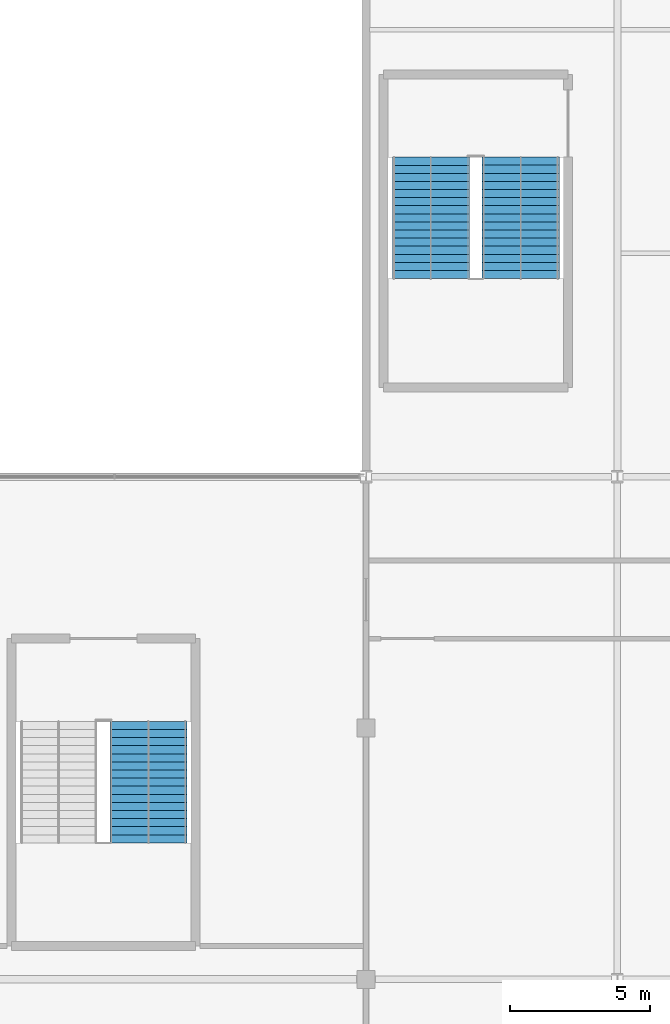
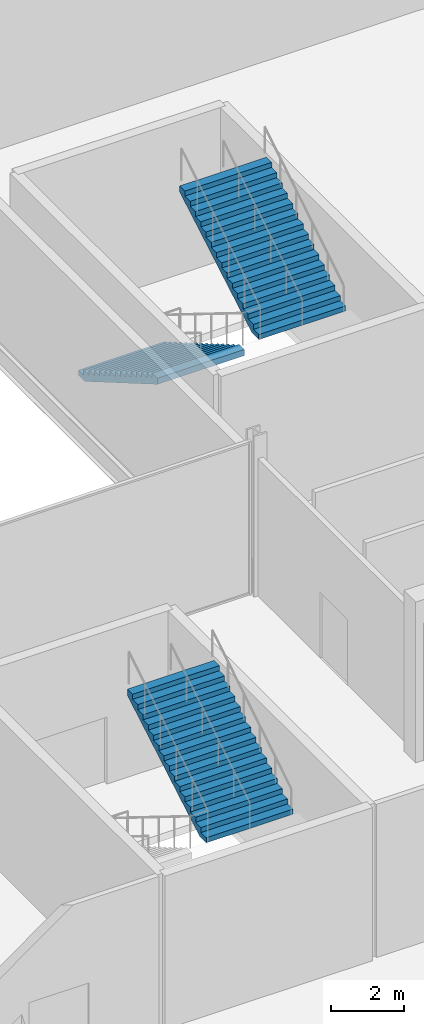
# One storey, part 89 of 113: 3 stair flights, 2 elements without a shape of their own.
"""IFC4 building model written with IfcOpenShell, lengths in metres."""

from ifc_helpers import new_model, si_unit, direction, frame, origin, place, context, subcontext, project, spatial, polygons, material, type_object, element, aggregate, save


model = new_model("IFC4")

# Units and contexts
model_context = context("Model", 3, precision=1e-05, world=origin(), true_north=direction((0.0, 1.0)))
body_context = subcontext(model_context, "Body", "Model", "MODEL_VIEW")
ifc_project = project(units=[si_unit("LENGTHUNIT", "METRE"), si_unit("AREAUNIT", "SQUARE_METRE"), si_unit("VOLUMEUNIT", "CUBIC_METRE"), si_unit("PLANEANGLEUNIT", "RADIAN"), si_unit("MASSUNIT", "GRAM", prefix="KILO")], contexts=[model_context])

# Site, building, storey
site_placement = place(None, origin())
site = spatial("IfcSite", under=ifc_project, at=site_placement, CompositionType="ELEMENT")
building_placement = place(site_placement, origin())
building = spatial("IfcBuilding", under=site, at=building_placement, Name="Kisiwana Market Hall", CompositionType="ELEMENT")
storey_placement = place(building_placement, frame((0.0, 0.0, 6.0)))
storey = spatial("IfcBuildingStorey", under=building, at=storey_placement, Name="L01", CompositionType="ELEMENT", Elevation=6.0)

# Stair, stair flights
ifc_material_1 = material(Name="Concrete C32/40", Category="concrete")
stair_type = type_object("IfcStairType", Name="ST-ESC-5400", PredefinedType="TWO_STRAIGHT_RUN_STAIR", material=ifc_material_1)
stair_1_placement = place(storey_placement, origin())
stair_1 = element("IfcStair", 1, at=stair_1_placement, inside=storey, type_object=stair_type, Name="Escape stair ST-E9-L01", PredefinedType="TWO_STRAIGHT_RUN_STAIR")
ifc_material_2 = material(Name="Concrete C32/40", Category="concrete")
stair_flight_type = type_object("IfcStairFlightType", Name="SF-ESC-5400", PredefinedType="STRAIGHT", material=ifc_material_2)
stair_flight_1_placement = place(storey_placement, frame((155.320068359375, 47.43994140625, 0.0), z_axis=(0.0, 0.0, 1.0), x_axis=(0.0, -1.0, 0.0)))
stair_flight_1 = element("IfcStairFlight", 2, at=stair_flight_1_placement, type_object=stair_flight_type, Name="ST-E9-L01 flight 1", NumberOfRisers=16, NumberOfTreads=15, PredefinedType="STRAIGHT", RiserHeight=0.16875, TreadLength=0.29, context=body_context, shape_type="Tessellation", body=[
    polygons([(0.0, -1.380127, 0.0), (0.0, -0.690125, 0.0), (0.0, -0.000122, 0.0), (0.0, 0.68988, 0.0), (0.0, 1.379883, 0.0), (0.0, -1.380127, 0.168701), (0.0, -0.690125, 0.168701), (0.0, -0.000122, 0.168701), (0.0, 0.68988, 0.168701), (0.0, 1.379883, 0.168701), (0.290039, -1.380127, 0.168701), (0.290039, -0.690125, 0.168701), (0.290039, -0.000122, 0.168701), (0.290039, 0.68988, 0.168701), (0.290039, 1.379883, 0.168701), (0.290039, -1.380127, 0.337402), (0.290039, -0.690125, 0.337402), (0.290039, -0.000122, 0.337402), (0.290039, 0.68988, 0.337402), (0.290039, 1.379883, 0.337402), (0.580078, -1.380127, 0.337402), (0.580078, -0.690125, 0.337402), (0.580078, -0.000122, 0.337402), (0.580078, 0.68988, 0.337402), (0.580078, 1.379883, 0.337402), (0.580078, -1.380127, 0.506348), (0.580078, -0.690125, 0.506348), (0.580078, -0.000122, 0.506348), (0.580078, 0.68988, 0.506348), (0.580078, 1.379883, 0.506348), (0.870117, -1.380127, 0.506348), (0.870117, -0.690125, 0.506348), (0.870117, -0.000122, 0.506348), (0.870117, 0.68988, 0.506348), (0.870117, 1.379883, 0.506348), (0.870117, -1.380127, 0.675049), (0.870117, -0.690125, 0.675049), (0.870117, -0.000122, 0.675049), (0.870117, 0.68988, 0.675049), (0.870117, 1.379883, 0.675049), (1.159912, -1.380127, 0.675049), (1.159912, -0.690125, 0.675049), (1.159912, -0.000122, 0.675049), (1.159912, 0.68988, 0.675049), (1.159912, 1.379883, 0.675049), (1.159912, -1.380127, 0.84375), (1.159912, -0.690125, 0.84375), (1.159912, -0.000122, 0.84375), (1.159912, 0.68988, 0.84375), (1.159912, 1.379883, 0.84375), (1.449951, -1.380127, 0.84375), (1.449951, -0.690125, 0.84375), (1.449951, -0.000122, 0.84375), (1.449951, 0.68988, 0.84375), (1.449951, 1.379883, 0.84375), (1.449951, -1.380127, 1.012451), (1.449951, -0.690125, 1.012451), (1.449951, -0.000122, 1.012451), (1.449951, 0.68988, 1.012451), (1.449951, 1.379883, 1.012451), (1.73999, -1.380127, 1.012451), (1.73999, -0.690125, 1.012451), (1.73999, -0.000122, 1.012451), (1.73999, 0.68988, 1.012451), (1.73999, 1.379883, 1.012451), (1.73999, -1.380127, 1.181152), (1.73999, -0.690125, 1.181152), (1.73999, -0.000122, 1.181152), (1.73999, 0.68988, 1.181152), (1.73999, 1.379883, 1.181152), (2.030029, -1.380127, 1.181152), (2.030029, -0.690125, 1.181152), (2.030029, -0.000122, 1.181152), (2.030029, 0.68988, 1.181152), (2.030029, 1.379883, 1.181152), (2.030029, -1.380127, 1.350098), (2.030029, -0.690125, 1.350098), (2.030029, -0.000122, 1.350098), (2.030029, 0.68988, 1.350098), (2.030029, 1.379883, 1.350098), (2.320068, -1.380127, 1.350098), (2.320068, -0.690125, 1.350098), (2.320068, -0.000122, 1.350098), (2.320068, 0.68988, 1.350098), (2.320068, 1.379883, 1.350098), (2.320068, -1.380127, 1.518799), (2.320068, -0.690125, 1.518799), (2.320068, -0.000122, 1.518799), (2.320068, 0.68988, 1.518799), (2.320068, 1.379883, 1.518799), (2.610107, -1.380127, 1.518799), (2.610107, -0.690125, 1.518799), (2.610107, -0.000122, 1.518799), (2.610107, 0.68988, 1.518799), (2.610107, 1.379883, 1.518799), (2.610107, -1.380127, 1.6875), (2.610107, -0.690125, 1.6875), (2.610107, -0.000122, 1.6875), (2.610107, 0.68988, 1.6875), (2.610107, 1.379883, 1.6875), (2.899902, -1.380127, 1.6875), (2.899902, -0.690125, 1.6875), (2.899902, -0.000122, 1.6875), (2.899902, 0.68988, 1.6875), (2.899902, 1.379883, 1.6875), (2.899902, -1.380127, 1.856201), (2.899902, -0.690125, 1.856201), (2.899902, -0.000122, 1.856201), (2.899902, 0.68988, 1.856201), (2.899902, 1.379883, 1.856201), (3.189941, -1.380127, 1.856201), (3.189941, -0.690125, 1.856201), (3.189941, -0.000122, 1.856201), (3.189941, 0.68988, 1.856201), (3.189941, 1.379883, 1.856201), (3.189941, -1.380127, 2.024902), (3.189941, -0.690125, 2.024902), (3.189941, -0.000122, 2.024902), (3.189941, 0.68988, 2.024902), (3.189941, 1.379883, 2.024902), (3.47998, -1.380127, 2.024902), (3.47998, -0.690125, 2.024902), (3.47998, -0.000122, 2.024902), (3.47998, 0.68988, 2.024902), (3.47998, 1.379883, 2.024902), (3.47998, -1.380127, 2.193848), (3.47998, -0.690125, 2.193848), (3.47998, -0.000122, 2.193848), (3.47998, 0.68988, 2.193848), (3.47998, 1.379883, 2.193848), (3.77002, -1.380127, 2.193848), (3.77002, -0.690125, 2.193848), (3.77002, -0.000122, 2.193848), (3.77002, 0.68988, 2.193848), (3.77002, 1.379883, 2.193848), (3.77002, -1.380127, 2.362549), (3.77002, -0.690125, 2.362549), (3.77002, -0.000122, 2.362549), (3.77002, 0.68988, 2.362549), (3.77002, 1.379883, 2.362549), (4.060059, -1.380127, 2.362549), (4.060059, -0.690125, 2.362549), (4.060059, -0.000122, 2.362549), (4.060059, 0.68988, 2.362549), (4.060059, 1.379883, 2.362549), (4.060059, -1.380127, 2.53125), (4.060059, -0.690125, 2.53125), (4.060059, -0.000122, 2.53125), (4.060059, 0.68988, 2.53125), (4.060059, 1.379883, 2.53125), (4.350098, -1.380127, 2.53125), (4.350098, -0.690125, 2.53125), (4.350098, -0.000122, 2.53125), (4.350098, 0.68988, 2.53125), (4.350098, 1.379883, 2.53125), (4.350098, -1.380127, 2.322998), (4.350098, -0.690125, 2.322998), (4.350098, -0.000122, 2.322998), (4.350098, 0.68988, 2.322998), (4.350098, 1.379883, 2.322998), (0.357666, -1.380127, 0.0), (0.357666, -0.690125, 0.0), (0.357666, -0.000122, 0.0), (0.357666, 0.68988, 0.0), (0.357666, 1.379883, 0.0)], [[[1, 6, 7, 2]], [[2, 7, 8, 3]], [[3, 8, 9, 4]], [[4, 9, 10, 5]], [[6, 11, 12, 7]], [[7, 12, 13, 8]], [[8, 13, 14, 9]], [[9, 14, 15, 10]], [[11, 16, 17, 12]], [[12, 17, 18, 13]], [[13, 18, 19, 14]], [[14, 19, 20, 15]], [[16, 21, 22, 17]], [[17, 22, 23, 18]], [[18, 23, 24, 19]], [[19, 24, 25, 20]], [[21, 26, 27, 22]], [[22, 27, 28, 23]], [[23, 28, 29, 24]], [[24, 29, 30, 25]], [[26, 31, 32, 27]], [[27, 32, 33, 28]], [[28, 33, 34, 29]], [[29, 34, 35, 30]], [[31, 36, 37, 32]], [[32, 37, 38, 33]], [[33, 38, 39, 34]], [[34, 39, 40, 35]], [[36, 41, 42, 37]], [[37, 42, 43, 38]], [[38, 43, 44, 39]], [[39, 44, 45, 40]], [[41, 46, 47, 42]], [[42, 47, 48, 43]], [[43, 48, 49, 44]], [[44, 49, 50, 45]], [[46, 51, 52, 47]], [[47, 52, 53, 48]], [[48, 53, 54, 49]], [[49, 54, 55, 50]], [[51, 56, 57, 52]], [[52, 57, 58, 53]], [[53, 58, 59, 54]], [[54, 59, 60, 55]], [[56, 61, 62, 57]], [[57, 62, 63, 58]], [[58, 63, 64, 59]], [[59, 64, 65, 60]], [[61, 66, 67, 62]], [[62, 67, 68, 63]], [[63, 68, 69, 64]], [[64, 69, 70, 65]], [[66, 71, 72, 67]], [[67, 72, 73, 68]], [[68, 73, 74, 69]], [[69, 74, 75, 70]], [[71, 76, 77, 72]], [[72, 77, 78, 73]], [[73, 78, 79, 74]], [[74, 79, 80, 75]], [[76, 81, 82, 77]], [[77, 82, 83, 78]], [[78, 83, 84, 79]], [[79, 84, 85, 80]], [[81, 86, 87, 82]], [[82, 87, 88, 83]], [[83, 88, 89, 84]], [[84, 89, 90, 85]], [[86, 91, 92, 87]], [[87, 92, 93, 88]], [[88, 93, 94, 89]], [[89, 94, 95, 90]], [[91, 96, 97, 92]], [[92, 97, 98, 93]], [[93, 98, 99, 94]], [[94, 99, 100, 95]], [[96, 101, 102, 97]], [[97, 102, 103, 98]], [[98, 103, 104, 99]], [[99, 104, 105, 100]], [[101, 106, 107, 102]], [[102, 107, 108, 103]], [[103, 108, 109, 104]], [[104, 109, 110, 105]], [[106, 111, 112, 107]], [[107, 112, 113, 108]], [[108, 113, 114, 109]], [[109, 114, 115, 110]], [[111, 116, 117, 112]], [[112, 117, 118, 113]], [[113, 118, 119, 114]], [[114, 119, 120, 115]], [[116, 121, 122, 117]], [[117, 122, 123, 118]], [[118, 123, 124, 119]], [[119, 124, 125, 120]], [[121, 126, 127, 122]], [[122, 127, 128, 123]], [[123, 128, 129, 124]], [[124, 129, 130, 125]], [[126, 131, 132, 127]], [[127, 132, 133, 128]], [[128, 133, 134, 129]], [[129, 134, 135, 130]], [[131, 136, 137, 132]], [[132, 137, 138, 133]], [[133, 138, 139, 134]], [[134, 139, 140, 135]], [[136, 141, 142, 137]], [[137, 142, 143, 138]], [[138, 143, 144, 139]], [[139, 144, 145, 140]], [[141, 146, 147, 142]], [[142, 147, 148, 143]], [[143, 148, 149, 144]], [[144, 149, 150, 145]], [[146, 151, 152, 147]], [[147, 152, 153, 148]], [[148, 153, 154, 149]], [[149, 154, 155, 150]], [[151, 156, 157, 152]], [[152, 157, 158, 153]], [[153, 158, 159, 154]], [[154, 159, 160, 155]], [[156, 161, 162, 157]], [[157, 162, 163, 158]], [[158, 163, 164, 159]], [[159, 164, 165, 160]], [[161, 1, 2, 162]], [[162, 2, 3, 163]], [[163, 3, 4, 164]], [[164, 4, 5, 165]], [[161, 156, 151, 146, 141, 136, 131, 126, 121, 116, 111, 106, 101, 96, 91, 86, 81, 76, 71, 66, 61, 56, 51, 46, 41, 36, 31, 26, 21, 16, 11, 6, 1]], [[5, 10, 15, 20, 25, 30, 35, 40, 45, 50, 55, 60, 65, 70, 75, 80, 85, 90, 95, 100, 105, 110, 115, 120, 125, 130, 135, 140, 145, 150, 155, 160, 165]]], closed=True),
])
stair_flight_2_placement = place(storey_placement, frame((158.5400390625, 43.090087890625, 2.699951171875), z_axis=(0.0, 0.0, 1.0), x_axis=(0.0, 1.0, 0.0)))
stair_flight_2 = element("IfcStairFlight", 3, at=stair_flight_2_placement, type_object=stair_flight_type, Name="ST-E9-L01 flight 2", NumberOfRisers=16, NumberOfTreads=15, PredefinedType="STRAIGHT", RiserHeight=0.16875, TreadLength=0.29, context=body_context, shape_type="Tessellation", body=[
    polygons([(0.0, -1.380127, 0.0), (0.0, -0.690125, 0.0), (0.0, -0.000122, 0.0), (0.0, 0.68988, 0.0), (0.0, 1.379883, 0.0), (0.0, -1.380127, 0.168701), (0.0, -0.690125, 0.168701), (0.0, -0.000122, 0.168701), (0.0, 0.68988, 0.168701), (0.0, 1.379883, 0.168701), (0.290039, -1.380127, 0.168701), (0.290039, -0.690125, 0.168701), (0.290039, -0.000122, 0.168701), (0.290039, 0.68988, 0.168701), (0.290039, 1.379883, 0.168701), (0.290039, -1.380127, 0.337402), (0.290039, -0.690125, 0.337402), (0.290039, -0.000122, 0.337402), (0.290039, 0.68988, 0.337402), (0.290039, 1.379883, 0.337402), (0.580078, -1.380127, 0.337402), (0.580078, -0.690125, 0.337402), (0.580078, -0.000122, 0.337402), (0.580078, 0.68988, 0.337402), (0.580078, 1.379883, 0.337402), (0.580078, -1.380127, 0.506348), (0.580078, -0.690125, 0.506348), (0.580078, -0.000122, 0.506348), (0.580078, 0.68988, 0.506348), (0.580078, 1.379883, 0.506348), (0.870117, -1.380127, 0.506348), (0.870117, -0.690125, 0.506348), (0.870117, -0.000122, 0.506348), (0.870117, 0.68988, 0.506348), (0.870117, 1.379883, 0.506348), (0.870117, -1.380127, 0.675049), (0.870117, -0.690125, 0.675049), (0.870117, -0.000122, 0.675049), (0.870117, 0.68988, 0.675049), (0.870117, 1.379883, 0.675049), (1.159912, -1.380127, 0.675049), (1.159912, -0.690125, 0.675049), (1.159912, -0.000122, 0.675049), (1.159912, 0.68988, 0.675049), (1.159912, 1.379883, 0.675049), (1.159912, -1.380127, 0.84375), (1.159912, -0.690125, 0.84375), (1.159912, -0.000122, 0.84375), (1.159912, 0.68988, 0.84375), (1.159912, 1.379883, 0.84375), (1.449951, -1.380127, 0.84375), (1.449951, -0.690125, 0.84375), (1.449951, -0.000122, 0.84375), (1.449951, 0.68988, 0.84375), (1.449951, 1.379883, 0.84375), (1.449951, -1.380127, 1.012451), (1.449951, -0.690125, 1.012451), (1.449951, -0.000122, 1.012451), (1.449951, 0.68988, 1.012451), (1.449951, 1.379883, 1.012451), (1.73999, -1.380127, 1.012451), (1.73999, -0.690125, 1.012451), (1.73999, -0.000122, 1.012451), (1.73999, 0.68988, 1.012451), (1.73999, 1.379883, 1.012451), (1.73999, -1.380127, 1.181152), (1.73999, -0.690125, 1.181152), (1.73999, -0.000122, 1.181152), (1.73999, 0.68988, 1.181152), (1.73999, 1.379883, 1.181152), (2.030029, -1.380127, 1.181152), (2.030029, -0.690125, 1.181152), (2.030029, -0.000122, 1.181152), (2.030029, 0.68988, 1.181152), (2.030029, 1.379883, 1.181152), (2.030029, -1.380127, 1.350098), (2.030029, -0.690125, 1.350098), (2.030029, -0.000122, 1.350098), (2.030029, 0.68988, 1.350098), (2.030029, 1.379883, 1.350098), (2.320068, -1.380127, 1.350098), (2.320068, -0.690125, 1.350098), (2.320068, -0.000122, 1.350098), (2.320068, 0.68988, 1.350098), (2.320068, 1.379883, 1.350098), (2.320068, -1.380127, 1.518799), (2.320068, -0.690125, 1.518799), (2.320068, -0.000122, 1.518799), (2.320068, 0.68988, 1.518799), (2.320068, 1.379883, 1.518799), (2.610107, -1.380127, 1.518799), (2.610107, -0.690125, 1.518799), (2.610107, -0.000122, 1.518799), (2.610107, 0.68988, 1.518799), (2.610107, 1.379883, 1.518799), (2.610107, -1.380127, 1.6875), (2.610107, -0.690125, 1.6875), (2.610107, -0.000122, 1.6875), (2.610107, 0.68988, 1.6875), (2.610107, 1.379883, 1.6875), (2.899902, -1.380127, 1.6875), (2.899902, -0.690125, 1.6875), (2.899902, -0.000122, 1.6875), (2.899902, 0.68988, 1.6875), (2.899902, 1.379883, 1.6875), (2.899902, -1.380127, 1.856201), (2.899902, -0.690125, 1.856201), (2.899902, -0.000122, 1.856201), (2.899902, 0.68988, 1.856201), (2.899902, 1.379883, 1.856201), (3.189941, -1.380127, 1.856201), (3.189941, -0.690125, 1.856201), (3.189941, -0.000122, 1.856201), (3.189941, 0.68988, 1.856201), (3.189941, 1.379883, 1.856201), (3.189941, -1.380127, 2.024902), (3.189941, -0.690125, 2.024902), (3.189941, -0.000122, 2.024902), (3.189941, 0.68988, 2.024902), (3.189941, 1.379883, 2.024902), (3.47998, -1.380127, 2.024902), (3.47998, -0.690125, 2.024902), (3.47998, -0.000122, 2.024902), (3.47998, 0.68988, 2.024902), (3.47998, 1.379883, 2.024902), (3.47998, -1.380127, 2.193848), (3.47998, -0.690125, 2.193848), (3.47998, -0.000122, 2.193848), (3.47998, 0.68988, 2.193848), (3.47998, 1.379883, 2.193848), (3.77002, -1.380127, 2.193848), (3.77002, -0.690125, 2.193848), (3.77002, -0.000122, 2.193848), (3.77002, 0.68988, 2.193848), (3.77002, 1.379883, 2.193848), (3.77002, -1.380127, 2.362549), (3.77002, -0.690125, 2.362549), (3.77002, -0.000122, 2.362549), (3.77002, 0.68988, 2.362549), (3.77002, 1.379883, 2.362549), (4.060059, -1.380127, 2.362549), (4.060059, -0.690125, 2.362549), (4.060059, -0.000122, 2.362549), (4.060059, 0.68988, 2.362549), (4.060059, 1.379883, 2.362549), (4.060059, -1.380127, 2.53125), (4.060059, -0.690125, 2.53125), (4.060059, -0.000122, 2.53125), (4.060059, 0.68988, 2.53125), (4.060059, 1.379883, 2.53125), (4.350098, -1.380127, 2.53125), (4.350098, -0.690125, 2.53125), (4.350098, -0.000122, 2.53125), (4.350098, 0.68988, 2.53125), (4.350098, 1.379883, 2.53125), (4.350098, -1.380127, 2.322998), (4.350098, -0.690125, 2.322998), (4.350098, -0.000122, 2.322998), (4.350098, 0.68988, 2.322998), (4.350098, 1.379883, 2.322998), (0.357666, -1.380127, 0.0), (0.357666, -0.690125, 0.0), (0.357666, -0.000122, 0.0), (0.357666, 0.68988, 0.0), (0.357666, 1.379883, 0.0)], [[[1, 6, 7, 2]], [[2, 7, 8, 3]], [[3, 8, 9, 4]], [[4, 9, 10, 5]], [[6, 11, 12, 7]], [[7, 12, 13, 8]], [[8, 13, 14, 9]], [[9, 14, 15, 10]], [[11, 16, 17, 12]], [[12, 17, 18, 13]], [[13, 18, 19, 14]], [[14, 19, 20, 15]], [[16, 21, 22, 17]], [[17, 22, 23, 18]], [[18, 23, 24, 19]], [[19, 24, 25, 20]], [[21, 26, 27, 22]], [[22, 27, 28, 23]], [[23, 28, 29, 24]], [[24, 29, 30, 25]], [[26, 31, 32, 27]], [[27, 32, 33, 28]], [[28, 33, 34, 29]], [[29, 34, 35, 30]], [[31, 36, 37, 32]], [[32, 37, 38, 33]], [[33, 38, 39, 34]], [[34, 39, 40, 35]], [[36, 41, 42, 37]], [[37, 42, 43, 38]], [[38, 43, 44, 39]], [[39, 44, 45, 40]], [[41, 46, 47, 42]], [[42, 47, 48, 43]], [[43, 48, 49, 44]], [[44, 49, 50, 45]], [[46, 51, 52, 47]], [[47, 52, 53, 48]], [[48, 53, 54, 49]], [[49, 54, 55, 50]], [[51, 56, 57, 52]], [[52, 57, 58, 53]], [[53, 58, 59, 54]], [[54, 59, 60, 55]], [[56, 61, 62, 57]], [[57, 62, 63, 58]], [[58, 63, 64, 59]], [[59, 64, 65, 60]], [[61, 66, 67, 62]], [[62, 67, 68, 63]], [[63, 68, 69, 64]], [[64, 69, 70, 65]], [[66, 71, 72, 67]], [[67, 72, 73, 68]], [[68, 73, 74, 69]], [[69, 74, 75, 70]], [[71, 76, 77, 72]], [[72, 77, 78, 73]], [[73, 78, 79, 74]], [[74, 79, 80, 75]], [[76, 81, 82, 77]], [[77, 82, 83, 78]], [[78, 83, 84, 79]], [[79, 84, 85, 80]], [[81, 86, 87, 82]], [[82, 87, 88, 83]], [[83, 88, 89, 84]], [[84, 89, 90, 85]], [[86, 91, 92, 87]], [[87, 92, 93, 88]], [[88, 93, 94, 89]], [[89, 94, 95, 90]], [[91, 96, 97, 92]], [[92, 97, 98, 93]], [[93, 98, 99, 94]], [[94, 99, 100, 95]], [[96, 101, 102, 97]], [[97, 102, 103, 98]], [[98, 103, 104, 99]], [[99, 104, 105, 100]], [[101, 106, 107, 102]], [[102, 107, 108, 103]], [[103, 108, 109, 104]], [[104, 109, 110, 105]], [[106, 111, 112, 107]], [[107, 112, 113, 108]], [[108, 113, 114, 109]], [[109, 114, 115, 110]], [[111, 116, 117, 112]], [[112, 117, 118, 113]], [[113, 118, 119, 114]], [[114, 119, 120, 115]], [[116, 121, 122, 117]], [[117, 122, 123, 118]], [[118, 123, 124, 119]], [[119, 124, 125, 120]], [[121, 126, 127, 122]], [[122, 127, 128, 123]], [[123, 128, 129, 124]], [[124, 129, 130, 125]], [[126, 131, 132, 127]], [[127, 132, 133, 128]], [[128, 133, 134, 129]], [[129, 134, 135, 130]], [[131, 136, 137, 132]], [[132, 137, 138, 133]], [[133, 138, 139, 134]], [[134, 139, 140, 135]], [[136, 141, 142, 137]], [[137, 142, 143, 138]], [[138, 143, 144, 139]], [[139, 144, 145, 140]], [[141, 146, 147, 142]], [[142, 147, 148, 143]], [[143, 148, 149, 144]], [[144, 149, 150, 145]], [[146, 151, 152, 147]], [[147, 152, 153, 148]], [[148, 153, 154, 149]], [[149, 154, 155, 150]], [[151, 156, 157, 152]], [[152, 157, 158, 153]], [[153, 158, 159, 154]], [[154, 159, 160, 155]], [[156, 161, 162, 157]], [[157, 162, 163, 158]], [[158, 163, 164, 159]], [[159, 164, 165, 160]], [[161, 1, 2, 162]], [[162, 2, 3, 163]], [[163, 3, 4, 164]], [[164, 4, 5, 165]], [[161, 156, 151, 146, 141, 136, 131, 126, 121, 116, 111, 106, 101, 96, 91, 86, 81, 76, 71, 66, 61, 56, 51, 46, 41, 36, 31, 26, 21, 16, 11, 6, 1]], [[5, 10, 15, 20, 25, 30, 35, 40, 45, 50, 55, 60, 65, 70, 75, 80, 85, 90, 95, 100, 105, 110, 115, 120, 125, 130, 135, 140, 145, 150, 155, 160, 165]]], closed=True),
])
aggregate(stair_1, [stair_flight_1, stair_flight_2])

# Stair, stair flight
stair_2_placement = place(storey_placement, origin())
stair_2 = element("IfcStair", 4, at=stair_2_placement, inside=storey, type_object=stair_type, Name="Escape stair ST-S6-L01", PredefinedType="TWO_STRAIGHT_RUN_STAIR")
stair_flight_3_placement = place(storey_placement, frame((145.2099609375, 22.889892578125, 2.699951171875), z_axis=(0.0, 0.0, 1.0), x_axis=(0.0, 1.0, 0.0)))
stair_flight_3 = element("IfcStairFlight", 5, at=stair_flight_3_placement, type_object=stair_flight_type, Name="ST-S6-L01 flight 2", NumberOfRisers=16, NumberOfTreads=15, PredefinedType="STRAIGHT", RiserHeight=0.16875, TreadLength=0.29, context=body_context, shape_type="Tessellation", body=[
    polygons([(0.0, -1.380127, 0.0), (0.0, -0.690125, 0.0), (0.0, -0.000122, 0.0), (0.0, 0.68988, 0.0), (0.0, 1.379883, 0.0), (0.0, -1.380127, 0.168701), (0.0, -0.690125, 0.168701), (0.0, -0.000122, 0.168701), (0.0, 0.68988, 0.168701), (0.0, 1.379883, 0.168701), (0.290039, -1.380127, 0.168701), (0.290039, -0.690125, 0.168701), (0.290039, -0.000122, 0.168701), (0.290039, 0.68988, 0.168701), (0.290039, 1.379883, 0.168701), (0.290039, -1.380127, 0.337402), (0.290039, -0.690125, 0.337402), (0.290039, -0.000122, 0.337402), (0.290039, 0.68988, 0.337402), (0.290039, 1.379883, 0.337402), (0.580078, -1.380127, 0.337402), (0.580078, -0.690125, 0.337402), (0.580078, -0.000122, 0.337402), (0.580078, 0.68988, 0.337402), (0.580078, 1.379883, 0.337402), (0.580078, -1.380127, 0.506348), (0.580078, -0.690125, 0.506348), (0.580078, -0.000122, 0.506348), (0.580078, 0.68988, 0.506348), (0.580078, 1.379883, 0.506348), (0.870117, -1.380127, 0.506348), (0.870117, -0.690125, 0.506348), (0.870117, -0.000122, 0.506348), (0.870117, 0.68988, 0.506348), (0.870117, 1.379883, 0.506348), (0.870117, -1.380127, 0.675049), (0.870117, -0.690125, 0.675049), (0.870117, -0.000122, 0.675049), (0.870117, 0.68988, 0.675049), (0.870117, 1.379883, 0.675049), (1.159912, -1.380127, 0.675049), (1.159912, -0.690125, 0.675049), (1.159912, -0.000122, 0.675049), (1.159912, 0.68988, 0.675049), (1.159912, 1.379883, 0.675049), (1.159912, -1.380127, 0.84375), (1.159912, -0.690125, 0.84375), (1.159912, -0.000122, 0.84375), (1.159912, 0.68988, 0.84375), (1.159912, 1.379883, 0.84375), (1.449951, -1.380127, 0.84375), (1.449951, -0.690125, 0.84375), (1.449951, -0.000122, 0.84375), (1.449951, 0.68988, 0.84375), (1.449951, 1.379883, 0.84375), (1.449951, -1.380127, 1.012451), (1.449951, -0.690125, 1.012451), (1.449951, -0.000122, 1.012451), (1.449951, 0.68988, 1.012451), (1.449951, 1.379883, 1.012451), (1.73999, -1.380127, 1.012451), (1.73999, -0.690125, 1.012451), (1.73999, -0.000122, 1.012451), (1.73999, 0.68988, 1.012451), (1.73999, 1.379883, 1.012451), (1.73999, -1.380127, 1.181152), (1.73999, -0.690125, 1.181152), (1.73999, -0.000122, 1.181152), (1.73999, 0.68988, 1.181152), (1.73999, 1.379883, 1.181152), (2.030029, -1.380127, 1.181152), (2.030029, -0.690125, 1.181152), (2.030029, -0.000122, 1.181152), (2.030029, 0.68988, 1.181152), (2.030029, 1.379883, 1.181152), (2.030029, -1.380127, 1.350098), (2.030029, -0.690125, 1.350098), (2.030029, -0.000122, 1.350098), (2.030029, 0.68988, 1.350098), (2.030029, 1.379883, 1.350098), (2.320068, -1.380127, 1.350098), (2.320068, -0.690125, 1.350098), (2.320068, -0.000122, 1.350098), (2.320068, 0.68988, 1.350098), (2.320068, 1.379883, 1.350098), (2.320068, -1.380127, 1.518799), (2.320068, -0.690125, 1.518799), (2.320068, -0.000122, 1.518799), (2.320068, 0.68988, 1.518799), (2.320068, 1.379883, 1.518799), (2.610107, -1.380127, 1.518799), (2.610107, -0.690125, 1.518799), (2.610107, -0.000122, 1.518799), (2.610107, 0.68988, 1.518799), (2.610107, 1.379883, 1.518799), (2.610107, -1.380127, 1.6875), (2.610107, -0.690125, 1.6875), (2.610107, -0.000122, 1.6875), (2.610107, 0.68988, 1.6875), (2.610107, 1.379883, 1.6875), (2.899902, -1.380127, 1.6875), (2.899902, -0.690125, 1.6875), (2.899902, -0.000122, 1.6875), (2.899902, 0.68988, 1.6875), (2.899902, 1.379883, 1.6875), (2.899902, -1.380127, 1.856201), (2.899902, -0.690125, 1.856201), (2.899902, -0.000122, 1.856201), (2.899902, 0.68988, 1.856201), (2.899902, 1.379883, 1.856201), (3.189941, -1.380127, 1.856201), (3.189941, -0.690125, 1.856201), (3.189941, -0.000122, 1.856201), (3.189941, 0.68988, 1.856201), (3.189941, 1.379883, 1.856201), (3.189941, -1.380127, 2.024902), (3.189941, -0.690125, 2.024902), (3.189941, -0.000122, 2.024902), (3.189941, 0.68988, 2.024902), (3.189941, 1.379883, 2.024902), (3.47998, -1.380127, 2.024902), (3.47998, -0.690125, 2.024902), (3.47998, -0.000122, 2.024902), (3.47998, 0.68988, 2.024902), (3.47998, 1.379883, 2.024902), (3.47998, -1.380127, 2.193848), (3.47998, -0.690125, 2.193848), (3.47998, -0.000122, 2.193848), (3.47998, 0.68988, 2.193848), (3.47998, 1.379883, 2.193848), (3.77002, -1.380127, 2.193848), (3.77002, -0.690125, 2.193848), (3.77002, -0.000122, 2.193848), (3.77002, 0.68988, 2.193848), (3.77002, 1.379883, 2.193848), (3.77002, -1.380127, 2.362549), (3.77002, -0.690125, 2.362549), (3.77002, -0.000122, 2.362549), (3.77002, 0.68988, 2.362549), (3.77002, 1.379883, 2.362549), (4.060059, -1.380127, 2.362549), (4.060059, -0.690125, 2.362549), (4.060059, -0.000122, 2.362549), (4.060059, 0.68988, 2.362549), (4.060059, 1.379883, 2.362549), (4.060059, -1.380127, 2.53125), (4.060059, -0.690125, 2.53125), (4.060059, -0.000122, 2.53125), (4.060059, 0.68988, 2.53125), (4.060059, 1.379883, 2.53125), (4.350098, -1.380127, 2.53125), (4.350098, -0.690125, 2.53125), (4.350098, -0.000122, 2.53125), (4.350098, 0.68988, 2.53125), (4.350098, 1.379883, 2.53125), (4.350098, -1.380127, 2.322998), (4.350098, -0.690125, 2.322998), (4.350098, -0.000122, 2.322998), (4.350098, 0.68988, 2.322998), (4.350098, 1.379883, 2.322998), (0.357666, -1.380127, 0.0), (0.357666, -0.690125, 0.0), (0.357666, -0.000122, 0.0), (0.357666, 0.68988, 0.0), (0.357666, 1.379883, 0.0)], [[[1, 6, 7, 2]], [[2, 7, 8, 3]], [[3, 8, 9, 4]], [[4, 9, 10, 5]], [[6, 11, 12, 7]], [[7, 12, 13, 8]], [[8, 13, 14, 9]], [[9, 14, 15, 10]], [[11, 16, 17, 12]], [[12, 17, 18, 13]], [[13, 18, 19, 14]], [[14, 19, 20, 15]], [[16, 21, 22, 17]], [[17, 22, 23, 18]], [[18, 23, 24, 19]], [[19, 24, 25, 20]], [[21, 26, 27, 22]], [[22, 27, 28, 23]], [[23, 28, 29, 24]], [[24, 29, 30, 25]], [[26, 31, 32, 27]], [[27, 32, 33, 28]], [[28, 33, 34, 29]], [[29, 34, 35, 30]], [[31, 36, 37, 32]], [[32, 37, 38, 33]], [[33, 38, 39, 34]], [[34, 39, 40, 35]], [[36, 41, 42, 37]], [[37, 42, 43, 38]], [[38, 43, 44, 39]], [[39, 44, 45, 40]], [[41, 46, 47, 42]], [[42, 47, 48, 43]], [[43, 48, 49, 44]], [[44, 49, 50, 45]], [[46, 51, 52, 47]], [[47, 52, 53, 48]], [[48, 53, 54, 49]], [[49, 54, 55, 50]], [[51, 56, 57, 52]], [[52, 57, 58, 53]], [[53, 58, 59, 54]], [[54, 59, 60, 55]], [[56, 61, 62, 57]], [[57, 62, 63, 58]], [[58, 63, 64, 59]], [[59, 64, 65, 60]], [[61, 66, 67, 62]], [[62, 67, 68, 63]], [[63, 68, 69, 64]], [[64, 69, 70, 65]], [[66, 71, 72, 67]], [[67, 72, 73, 68]], [[68, 73, 74, 69]], [[69, 74, 75, 70]], [[71, 76, 77, 72]], [[72, 77, 78, 73]], [[73, 78, 79, 74]], [[74, 79, 80, 75]], [[76, 81, 82, 77]], [[77, 82, 83, 78]], [[78, 83, 84, 79]], [[79, 84, 85, 80]], [[81, 86, 87, 82]], [[82, 87, 88, 83]], [[83, 88, 89, 84]], [[84, 89, 90, 85]], [[86, 91, 92, 87]], [[87, 92, 93, 88]], [[88, 93, 94, 89]], [[89, 94, 95, 90]], [[91, 96, 97, 92]], [[92, 97, 98, 93]], [[93, 98, 99, 94]], [[94, 99, 100, 95]], [[96, 101, 102, 97]], [[97, 102, 103, 98]], [[98, 103, 104, 99]], [[99, 104, 105, 100]], [[101, 106, 107, 102]], [[102, 107, 108, 103]], [[103, 108, 109, 104]], [[104, 109, 110, 105]], [[106, 111, 112, 107]], [[107, 112, 113, 108]], [[108, 113, 114, 109]], [[109, 114, 115, 110]], [[111, 116, 117, 112]], [[112, 117, 118, 113]], [[113, 118, 119, 114]], [[114, 119, 120, 115]], [[116, 121, 122, 117]], [[117, 122, 123, 118]], [[118, 123, 124, 119]], [[119, 124, 125, 120]], [[121, 126, 127, 122]], [[122, 127, 128, 123]], [[123, 128, 129, 124]], [[124, 129, 130, 125]], [[126, 131, 132, 127]], [[127, 132, 133, 128]], [[128, 133, 134, 129]], [[129, 134, 135, 130]], [[131, 136, 137, 132]], [[132, 137, 138, 133]], [[133, 138, 139, 134]], [[134, 139, 140, 135]], [[136, 141, 142, 137]], [[137, 142, 143, 138]], [[138, 143, 144, 139]], [[139, 144, 145, 140]], [[141, 146, 147, 142]], [[142, 147, 148, 143]], [[143, 148, 149, 144]], [[144, 149, 150, 145]], [[146, 151, 152, 147]], [[147, 152, 153, 148]], [[148, 153, 154, 149]], [[149, 154, 155, 150]], [[151, 156, 157, 152]], [[152, 157, 158, 153]], [[153, 158, 159, 154]], [[154, 159, 160, 155]], [[156, 161, 162, 157]], [[157, 162, 163, 158]], [[158, 163, 164, 159]], [[159, 164, 165, 160]], [[161, 1, 2, 162]], [[162, 2, 3, 163]], [[163, 3, 4, 164]], [[164, 4, 5, 165]], [[161, 156, 151, 146, 141, 136, 131, 126, 121, 116, 111, 106, 101, 96, 91, 86, 81, 76, 71, 66, 61, 56, 51, 46, 41, 36, 31, 26, 21, 16, 11, 6, 1]], [[5, 10, 15, 20, 25, 30, 35, 40, 45, 50, 55, 60, 65, 70, 75, 80, 85, 90, 95, 100, 105, 110, 115, 120, 125, 130, 135, 140, 145, 150, 155, 160, 165]]], closed=True),
])
aggregate(stair_2, [stair_flight_3])

save(model, "model.ifc")
